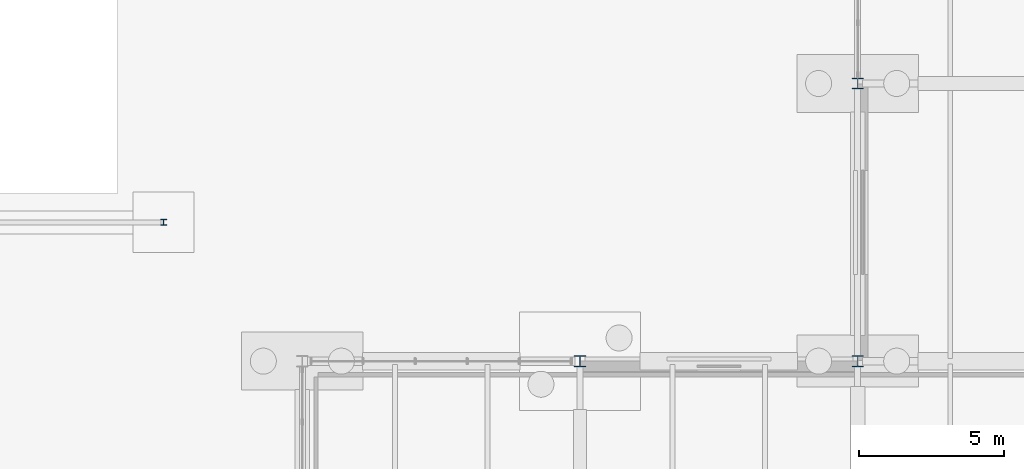
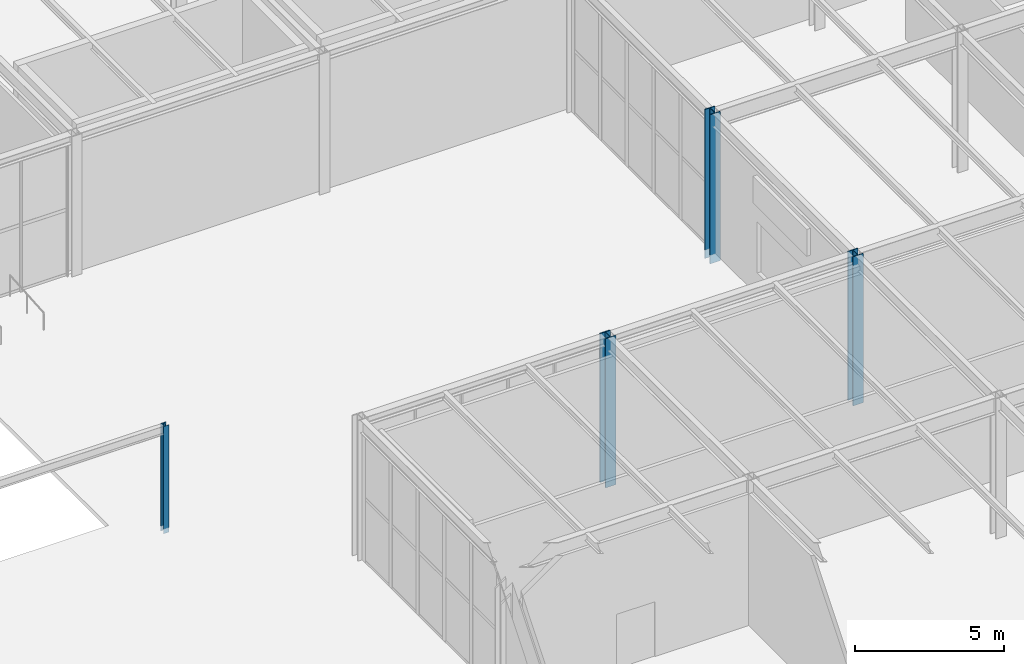
# One storey, part 22 of 142: 4 columns.
"""IFC4 building model written with IfcOpenShell, lengths in metres."""

from ifc_helpers import new_model, si_unit, direction, frame, origin, origin_2d, place, context, subcontext, project, spatial, i_section, extrude, material, material_profile, profile_set, type_object, element, save


model = new_model("IFC4")

# Units and contexts
model_context = context("Model", 3, precision=1e-05, world=origin(), true_north=direction((0.0, 1.0)))
body_context = subcontext(model_context, "Body", "Model", "MODEL_VIEW")
ifc_project = project(units=[si_unit("LENGTHUNIT", "METRE"), si_unit("AREAUNIT", "SQUARE_METRE"), si_unit("VOLUMEUNIT", "CUBIC_METRE"), si_unit("PLANEANGLEUNIT", "RADIAN"), si_unit("MASSUNIT", "GRAM", prefix="KILO")], contexts=[model_context])

# Site, building, storey
site_placement = place(None, origin())
site = spatial("IfcSite", under=ifc_project, at=site_placement, CompositionType="ELEMENT")
building_placement = place(site_placement, origin())
building = spatial("IfcBuilding", under=site, at=building_placement, Name="Coralgate Yard Interchange", CompositionType="ELEMENT")
storey_placement = place(building_placement, origin())
storey = spatial("IfcBuildingStorey", under=building, at=storey_placement, Name="L00", CompositionType="ELEMENT", Elevation=0.0)

# Columns
ifc_material = material(Name="Structural steel S355J2", Category="steel")
ifc_material_profile_1 = material_profile(ifc_material, i_section(OverallWidth=0.39892578125, OverallDepth=0.3935546875, WebThickness=0.022705078125, FlangeThickness=0.03662109375, FilletRadius=0.01513671875, at=origin_2d()), Name="UC 356x406x287")
ifc_profile_set_1 = profile_set([ifc_material_profile_1], Name="Structural steel S355J2")
column_type_1 = type_object("IfcColumnType", Name="COL-SC-1", PredefinedType="COLUMN", material=ifc_profile_set_1)
for number, where, z_axis, x_axis, name in (
    (1, (144.0, 19.199951171875, -0.360107421875), (0.0, 0.0, 1.0), (1.0, 0.0, 0.0), "L00 structural column 15-2"),
    (2, (153.60009765625, 19.199951171875, -0.360107421875), (0.0, 0.0, 1.0), (1.0, 0.0, 0.0), "L00 structural column 16-2"),
    (3, (153.60009765625, 28.800048828125, -0.360107421875), (0.0, 0.0, 1.0), (1.0, 0.0, 0.0), "L00 structural column 16-3"),
):
    element("IfcColumn", number, at=place(storey_placement, frame(where, z_axis=z_axis, x_axis=x_axis)), inside=storey, type_object=column_type_1, Name=name, PredefinedType="COLUMN", context=body_context, shape_type="SweptSolid", body=[
        extrude(i_section(OverallWidth=0.39892578125, OverallDepth=0.3935546875, WebThickness=0.022705078125, FlangeThickness=0.03662109375, FilletRadius=0.01513671875, at=origin_2d()), origin(), (0.0, 0.0, 1.0), 6.110107421875),
    ])
ifc_material_profile_2 = material_profile(ifc_material, i_section(OverallWidth=0.205810546875, OverallDepth=0.209716796875, WebThickness=0.009521484375, FlangeThickness=0.01416015625, FilletRadius=0.01025390625, at=origin_2d()), Name="UC 203x203x60")
ifc_profile_set_2 = profile_set([ifc_material_profile_2], Name="Structural steel S355J2")
column_type_2 = type_object("IfcColumnType", Name="COL-SC-9", PredefinedType="COLUMN", material=ifc_profile_set_2)
column_placement = place(storey_placement, frame((129.60009765625, 24.0, -0.199951171875), z_axis=(0.0, 0.0, 1.0), x_axis=(1.0, 0.0, 0.0)))
element("IfcColumn", 4, at=column_placement, inside=storey, type_object=column_type_2, Name="Courtyard colonnade steel column 8", PredefinedType="COLUMN", context=body_context, shape_type="SweptSolid", body=[
    extrude(i_section(OverallWidth=0.205810546875, OverallDepth=0.209716796875, WebThickness=0.009521484375, FlangeThickness=0.01416015625, FilletRadius=0.01025390625, at=origin_2d()), origin(), (0.0, 0.0, 1.0), 4.39990234375),
])

save(model, "model.ifc")
